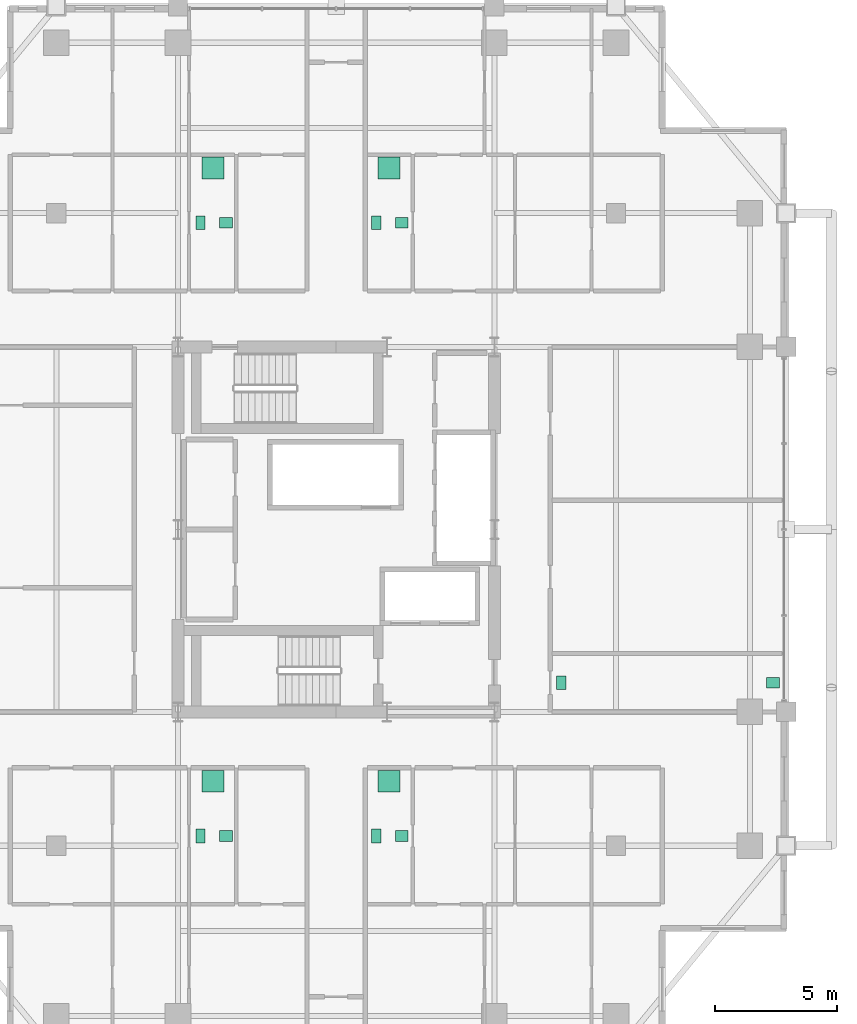
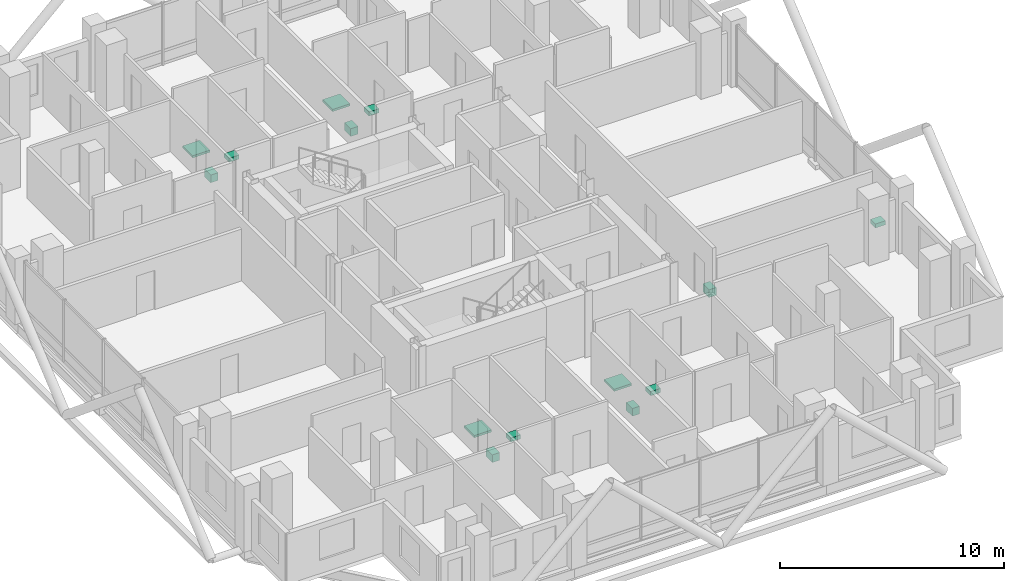
# One storey, part 26 of 26: 14 sanitary terminals.
"""IFC4 building model written with IfcOpenShell, lengths in metres."""

from ifc_helpers import new_model, si_unit, direction, frame, origin, origin_2d, place, context, subcontext, project, spatial, rectangle, extrude, material, type_object, element, save


model = new_model("IFC4")

# Units and contexts
model_context = context("Model", 3, precision=1e-05, world=origin(), true_north=direction((0.0, 1.0)))
body_context = subcontext(model_context, "Body", "Model", "MODEL_VIEW")
ifc_project = project(units=[si_unit("LENGTHUNIT", "METRE"), si_unit("AREAUNIT", "SQUARE_METRE"), si_unit("VOLUMEUNIT", "CUBIC_METRE"), si_unit("PLANEANGLEUNIT", "RADIAN"), si_unit("MASSUNIT", "GRAM", prefix="KILO")], contexts=[model_context])

# Site, building, storey
site_placement = place(None, origin())
site = spatial("IfcSite", under=ifc_project, at=site_placement, CompositionType="ELEMENT")
building_placement = place(site_placement, origin())
building = spatial("IfcBuilding", under=site, at=building_placement, Name="Barlavira Tower and Art Museum", CompositionType="ELEMENT")
storey_placement = place(building_placement, frame((0.0, 0.0, 198.0)))
storey = spatial("IfcBuildingStorey", under=building, at=storey_placement, Name="L51", CompositionType="ELEMENT", Elevation=198.0)

# Sanitary terminals
ifc_material = material(Name="Vitreous glazed ceramic", Category="ceramic")
sanitary_terminal_type_1 = type_object("IfcSanitaryTerminalType", Name="Countertop Ceramic Wash Hand Basin", PredefinedType="WASHHANDBASIN", material=ifc_material)
for number, where, z_axis, x_axis, name in (
    (1, (-4.530029296875, -12.60009765625, 0.740234375), (0.0, 0.0, 1.0), (1.0, 0.0, 0.0), "L51-SW1-BTH1 Wash Basin"),
    (2, (2.699951171875, -12.60009765625, 0.740234375), (0.0, 0.0, 1.0), (1.0, 0.0, 0.0), "L51-SE1-BTH1 Wash Basin"),
    (3, (-4.530029296875, 12.60009765625, 0.740234375), (0.0, 0.0, 1.0), (1.0, 0.0, 0.0), "L51-NW1-BTH1 Wash Basin"),
    (4, (2.699951171875, 12.60009765625, 0.740234375), (0.0, 0.0, 1.0), (1.0, 0.0, 0.0), "L51-NE1-BTH1 Wash Basin"),
    (5, (17.949951171875, -6.300048828125, 0.740234375), (0.0, 0.0, 1.0), (1.0, 0.0, 0.0), "L51-E-SWC Wash Basin"),
):
    element("IfcSanitaryTerminal", number, at=place(storey_placement, frame(where, z_axis=z_axis, x_axis=x_axis)), inside=storey, type_object=sanitary_terminal_type_1, Name=name, PredefinedType="WASHHANDBASIN", context=body_context, shape_type="SweptSolid", body=[
        extrude(rectangle(XDim=0.52001953125, YDim=0.43994140625, at=origin_2d()), origin(), (0.0, 0.0, 1.0), 0.219970703125),
    ])
sanitary_terminal_type_2 = type_object("IfcSanitaryTerminalType", Name="Walk-In Thermostatic Rain Shower Unit", PredefinedType="SHOWER", material=ifc_material)
for number, where, z_axis, x_axis, name in (
    (6, (-5.054931640625, -10.35009765625, 0.0), (0.0, 0.0, 1.0), (1.0, 0.0, 0.0), "L51-SW1-BTH1 Rain Shower"),
    (7, (2.175048828125, -10.35009765625, 0.0), (0.0, 0.0, 1.0), (1.0, 0.0, 0.0), "L51-SE1-BTH1 Rain Shower"),
    (8, (-5.054931640625, 14.85009765625, 0.0), (0.0, 0.0, 1.0), (1.0, 0.0, 0.0), "L51-NW1-BTH1 Rain Shower"),
    (9, (2.175048828125, 14.85009765625, 0.0), (0.0, 0.0, 1.0), (1.0, 0.0, 0.0), "L51-NE1-BTH1 Rain Shower"),
):
    element("IfcSanitaryTerminal", number, at=place(storey_placement, frame(where, z_axis=z_axis, x_axis=x_axis)), inside=storey, type_object=sanitary_terminal_type_2, Name=name, PredefinedType="SHOWER", context=body_context, shape_type="SweptSolid", body=[
        extrude(rectangle(XDim=0.89990234375, YDim=0.89990234375, at=origin_2d()), origin(), (0.0, 0.0, 1.0), 0.1201171875),
    ])
sanitary_terminal_type_3 = type_object("IfcSanitaryTerminalType", Name="Wall-Hung Dual-Flush Vitreous WC Pan", PredefinedType="TOILETPAN", material=ifc_material)
for number, where, z_axis, x_axis, name in (
    (10, (-5.580078125, -12.60009765625, 0.0), (0.0, 0.0, 1.0), (1.0, 0.0, 0.0), "L51-SW1-BTH1 WC Pan"),
    (11, (1.64990234375, -12.60009765625, 0.0), (0.0, 0.0, 1.0), (1.0, 0.0, 0.0), "L51-SE1-BTH1 WC Pan"),
    (12, (-5.580078125, 12.60009765625, 0.0), (0.0, 0.0, 1.0), (1.0, 0.0, 0.0), "L51-NW1-BTH1 WC Pan"),
    (13, (1.64990234375, 12.60009765625, 0.0), (0.0, 0.0, 1.0), (1.0, 0.0, 0.0), "L51-NE1-BTH1 WC Pan"),
    (14, (9.25, -6.300048828125, 0.0), (0.0, 0.0, 1.0), (1.0, 0.0, 0.0), "L51-E-SWC WC Pan"),
):
    element("IfcSanitaryTerminal", number, at=place(storey_placement, frame(where, z_axis=z_axis, x_axis=x_axis)), inside=storey, type_object=sanitary_terminal_type_3, Name=name, PredefinedType="TOILETPAN", context=body_context, shape_type="SweptSolid", body=[
        extrude(rectangle(XDim=0.3798828125, YDim=0.56005859375, at=origin_2d()), origin(), (0.0, 0.0, 1.0), 0.419921875),
    ])

save(model, "model.ifc")
